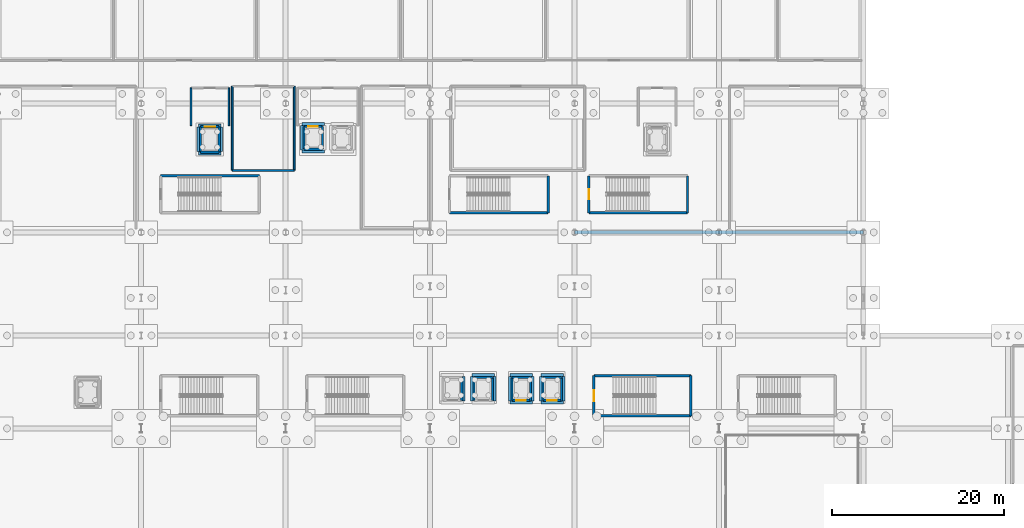
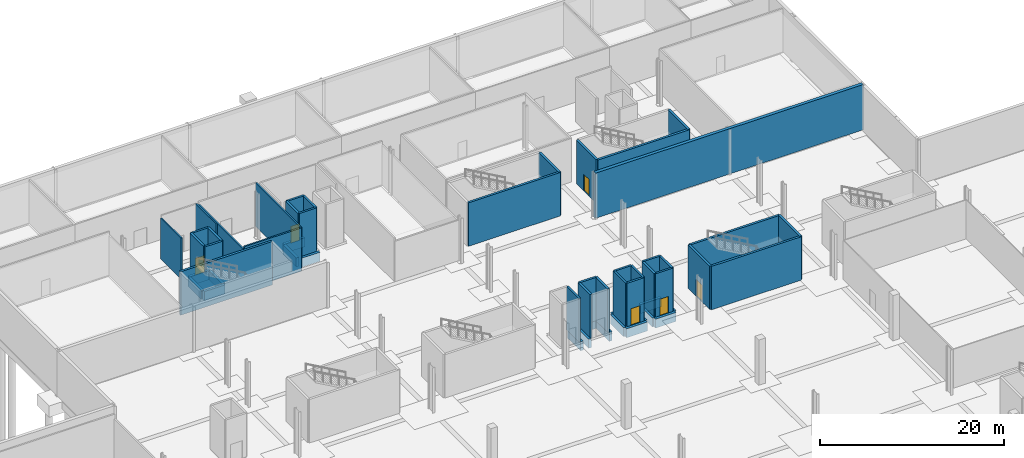
# One storey, part 28 of 46: 55 walls, 6 doors, 6 openings.
"""IFC4 building model written with IfcOpenShell, lengths in metres."""

from ifc_helpers import new_model, si_unit, direction, frame, frame_2d, origin, place, context, subcontext, project, spatial, rectangle, extrude, material, layer, layer_set, type_object, element, fill, save


model = new_model("IFC4")

# Units and contexts
model_context = context("Model", 3, precision=1e-05, world=origin(), true_north=direction((0.0, 1.0)))
body_context = subcontext(model_context, "Body", "Model", "MODEL_VIEW")
ifc_project = project(units=[si_unit("LENGTHUNIT", "METRE"), si_unit("AREAUNIT", "SQUARE_METRE"), si_unit("VOLUMEUNIT", "CUBIC_METRE"), si_unit("PLANEANGLEUNIT", "RADIAN"), si_unit("MASSUNIT", "GRAM", prefix="KILO")], contexts=[model_context])

# Site, building, storey
site_placement = place(None, origin())
site = spatial("IfcSite", under=ifc_project, at=site_placement, CompositionType="ELEMENT")
building_placement = place(site_placement, origin())
building = spatial("IfcBuilding", under=site, at=building_placement, Name="Kimbaza Rail Terminus", CompositionType="ELEMENT")
storey_placement = place(building_placement, frame((0.0, 0.0, -6.0)))
storey = spatial("IfcBuildingStorey", under=building, at=storey_placement, Name="B1", CompositionType="ELEMENT", Elevation=-6.0)

# Walls
ifc_material_1 = material(Name="Concrete blockwork C30/37", Category="masonry")
ifc_layer_1 = layer(ifc_material_1, 0.179931640625)
ifc_layer_set_1 = layer_set([ifc_layer_1], Name="Concrete blockwork C30/37")
wall_type_1 = type_object("IfcWallType", Name="ARC-WL-FIRE180", PredefinedType="PARTITIONING", material=ifc_layer_set_1)
wall_1_placement = place(storey_placement, frame((82.199951171875, 115.39990234375, 0.0), z_axis=(0.0, 0.0, 1.0), x_axis=(0.0, 1.0, 0.0)))
element("IfcWall", 1, at=wall_1_placement, inside=storey, type_object=wall_type_1, Name="Firefighting Lobby LF-01 Partition (east)", PredefinedType="PARTITIONING", context=body_context, shape_type="SweptSolid", body=[
    extrude(rectangle(XDim=4.400146484375, YDim=0.179931640625, at=frame_2d((2.2001953125, 0.0))), origin(), (0.0, 0.0, 1.0), 5.75),
])
wall_2_placement = place(storey_placement, frame((77.800048828125, 119.800048828125, 0.0), z_axis=(0.0, 0.0, 1.0), x_axis=(0.0, -1.0, 0.0)))
element("IfcWall", 2, at=wall_2_placement, inside=storey, type_object=wall_type_1, Name="Firefighting Lobby LF-01 Partition (west)", PredefinedType="PARTITIONING", context=body_context, shape_type="SweptSolid", body=[
    extrude(rectangle(XDim=4.400146484375, YDim=0.179931640625, at=frame_2d((2.2001953125, 0.0))), origin(), (0.0, 0.0, 1.0), 5.39501953125),
])
ifc_material_2 = material(Name="Concrete blockwork C30/37", Category="masonry")
ifc_layer_2 = layer(ifc_material_2, 0.199951171875)
ifc_layer_set_2 = layer_set([ifc_layer_2], Name="Concrete blockwork C30/37")
wall_type_2 = type_object("IfcWallType", Name="ARC-WL-FIRE200", PredefinedType="PARTITIONING", material=ifc_layer_set_2)
wall_3_placement = place(storey_placement, frame((82.60009765625, 110.199951171875, 0.0), z_axis=(0.0, 0.0, 1.0), x_axis=(1.0, 0.0, 0.0)))
element("IfcWall", 3, at=wall_3_placement, inside=storey, type_object=wall_type_2, Name="B1 Traction Metering Workshop Partition (south)", PredefinedType="PARTITIONING", context=body_context, shape_type="SweptSolid", body=[
    extrude(rectangle(XDim=7.199951171875, YDim=0.199951171875, at=frame_2d((3.60009765625, 0.0))), origin(), (0.0, 0.0, 1.0), 5.75),
])
wall_4_placement = place(storey_placement, frame((89.800048828125, 110.199951171875, 0.0), z_axis=(0.0, 0.0, 1.0), x_axis=(0.0, 1.0, 0.0)))
element("IfcWall", 4, at=wall_4_placement, inside=storey, type_object=wall_type_2, Name="B1 Traction Metering Workshop Partition (east)", PredefinedType="PARTITIONING", context=body_context, shape_type="SweptSolid", body=[
    extrude(rectangle(XDim=9.800048828125, YDim=0.199951171875, at=frame_2d((4.89990234375, 0.0))), origin(), (0.0, 0.0, 1.0), 5.75),
])
wall_5_placement = place(storey_placement, frame((82.60009765625, 120.0, 0.0), z_axis=(0.0, 0.0, 1.0), x_axis=(0.0, -1.0, 0.0)))
element("IfcWall", 5, at=wall_5_placement, inside=storey, type_object=wall_type_2, Name="B1 Traction Metering Workshop Partition (west)", PredefinedType="PARTITIONING", context=body_context, shape_type="SweptSolid", body=[
    extrude(rectangle(XDim=9.800048828125, YDim=0.199951171875, at=frame_2d((4.89990234375, 0.0))), origin(), (0.0, 0.0, 1.0), 5.39501953125),
])
ifc_material_3 = material(Name="Concrete C40/50", Category="concrete")
ifc_layer_3 = layer(ifc_material_3, 0.25)
ifc_layer_set_3 = layer_set([ifc_layer_3], Name="Concrete C40/50")
wall_type_3 = type_object("IfcWallType", Name="STR-WL-CORE250", PredefinedType="SHEAR", material=ifc_layer_set_3)
for number, where, z_axis, x_axis, name in (
    (6, (109.280029296875, 83.469970703125, 0.0), (0.0, 0.0, 1.0), (0.0, 1.0, 0.0), "Lift Shaft Wall LP-01 B1-2"),
    (7, (112.8798828125, 83.469970703125, 0.0), (0.0, 0.0, 1.0), (0.0, 1.0, 0.0), "Lift Shaft Wall LP-02 B1-2"),
):
    element("IfcWall", number, at=place(storey_placement, frame(where, z_axis=z_axis, x_axis=x_axis)), inside=storey, type_object=wall_type_3, Name=name, PredefinedType="SHEAR", context=body_context, shape_type="SweptSolid", body=[
        extrude(rectangle(XDim=2.659912109375, YDim=0.25, at=frame_2d((1.330078125, 0.0))), origin(), (0.0, 0.0, 1.0), 5.75),
    ])
wall_6_placement = place(storey_placement, frame((112.8798828125, 86.1298828125, 0.0), z_axis=(0.0, 0.0, 1.0), x_axis=(-1.0, 0.0, 0.0)))
element("IfcWall", 8, at=wall_6_placement, inside=storey, type_object=wall_type_3, Name="Lift Shaft Wall LP-02 B1-3", PredefinedType="SHEAR", context=body_context, shape_type="SweptSolid", body=[
    extrude(rectangle(XDim=2.159912109375, YDim=0.25, at=frame_2d((1.080078125, 0.0))), origin(), (0.0, 0.0, 1.0), 5.75),
])
wall_7_placement = place(storey_placement, frame((110.719970703125, 86.1298828125, 0.0), z_axis=(0.0, 0.0, 1.0), x_axis=(0.0, -1.0, 0.0)))
element("IfcWall", 9, at=wall_7_placement, inside=storey, type_object=wall_type_3, Name="Lift Shaft Wall LP-02 B1-4", PredefinedType="SHEAR", context=body_context, shape_type="SweptSolid", body=[
    extrude(rectangle(XDim=2.659912109375, YDim=0.25, at=frame_2d((1.330078125, 0.0))), origin(), (0.0, 0.0, 1.0), 5.75),
])

# Wall, opening, door
wall_8_placement = place(storey_placement, frame((115.1201171875, 83.469970703125, 0.0), z_axis=(0.0, 0.0, 1.0), x_axis=(1.0, 0.0, 0.0)))
wall_8 = element("IfcWall", 10, at=wall_8_placement, inside=storey, type_object=wall_type_3, Name="Lift Shaft Wall LP-03 B1-1", PredefinedType="SHEAR", context=body_context, shape_type="SweptSolid", body=[
    extrude(rectangle(XDim=2.159912109375, YDim=0.25, at=frame_2d((1.080078125, 0.0))), origin(), (0.0, 0.0, 1.0), 5.75),
])
opening_1_placement = place(wall_8_placement, frame((0.530029296875, 0.0, 0.0)))
opening_1 = element("IfcOpeningElement", 11, at=opening_1_placement, cuts=wall_8, Name="Opening LD-01", PredefinedType="OPENING", context=body_context, shape_type="SweptSolid", body=[
    extrude(rectangle(XDim=1.10009765625, YDim=2.199951171875, at=frame_2d((0.550048828125, 1.10009765625))), frame((0.0, 0.135009765625, 0.0), z_axis=(0.0, -1.0, 0.0), x_axis=(1.0, 0.0, 0.0)), (0.0, 0.0, 1.0), 0.27001953125),
])
ifc_material_4 = material(Name="Brushed stainless steel sliding landing door", Category="steel")
door_type_1 = type_object("IfcDoorType", Name="ARC-DR-LD110", OperationType="NOTDEFINED", PredefinedType="DOOR", material=ifc_material_4)
door_1_placement = place(opening_1_placement, origin())
door_1 = element("IfcDoor", 12, at=door_1_placement, inside=storey, type_object=door_type_1, Name="LDR-LP-03-B1", OperationType="SLIDING_TO_LEFT", OverallHeight=2.199951171875, OverallWidth=1.10009765625, PredefinedType="DOOR", context=body_context, shape_type="SweptSolid", body=[
    extrude(rectangle(XDim=1.10009765625, YDim=2.199951171875, at=frame_2d((0.550048828125, 1.10009765625))), frame((0.0, 0.02490234375, 0.0), z_axis=(0.0, -1.0, 0.0), x_axis=(1.0, 0.0, 0.0)), (0.0, 0.0, 1.0), 0.050048828125),
])
fill(opening_1, door_1)

# Walls
wall_9_placement = place(storey_placement, frame((117.280029296875, 83.469970703125, 0.0), z_axis=(0.0, 0.0, 1.0), x_axis=(0.0, 1.0, 0.0)))
element("IfcWall", 13, at=wall_9_placement, inside=storey, type_object=wall_type_3, Name="Lift Shaft Wall LP-03 B1-2", PredefinedType="SHEAR", context=body_context, shape_type="SweptSolid", body=[
    extrude(rectangle(XDim=2.659912109375, YDim=0.25, at=frame_2d((1.330078125, 0.0))), origin(), (0.0, 0.0, 1.0), 5.75),
])
wall_10_placement = place(storey_placement, frame((117.280029296875, 86.1298828125, 0.0), z_axis=(0.0, 0.0, 1.0), x_axis=(-1.0, 0.0, 0.0)))
element("IfcWall", 14, at=wall_10_placement, inside=storey, type_object=wall_type_3, Name="Lift Shaft Wall LP-03 B1-3", PredefinedType="SHEAR", context=body_context, shape_type="SweptSolid", body=[
    extrude(rectangle(XDim=2.159912109375, YDim=0.25, at=frame_2d((1.080078125, 0.0))), origin(), (0.0, 0.0, 1.0), 5.75),
])
wall_11_placement = place(storey_placement, frame((115.1201171875, 86.1298828125, 0.0), z_axis=(0.0, 0.0, 1.0), x_axis=(0.0, -1.0, 0.0)))
element("IfcWall", 15, at=wall_11_placement, inside=storey, type_object=wall_type_3, Name="Lift Shaft Wall LP-03 B1-4", PredefinedType="SHEAR", context=body_context, shape_type="SweptSolid", body=[
    extrude(rectangle(XDim=2.659912109375, YDim=0.25, at=frame_2d((1.330078125, 0.0))), origin(), (0.0, 0.0, 1.0), 5.75),
])

# Wall, opening, door
wall_12_placement = place(storey_placement, frame((118.719970703125, 83.469970703125, 0.0), z_axis=(0.0, 0.0, 1.0), x_axis=(1.0, 0.0, 0.0)))
wall_12 = element("IfcWall", 16, at=wall_12_placement, inside=storey, type_object=wall_type_3, Name="Lift Shaft Wall LP-04 B1-1", PredefinedType="SHEAR", context=body_context, shape_type="SweptSolid", body=[
    extrude(rectangle(XDim=2.159912109375, YDim=0.25, at=frame_2d((1.080078125, 0.0))), origin(), (0.0, 0.0, 1.0), 5.75),
])
opening_2_placement = place(wall_12_placement, frame((0.530029296875, 0.0, 0.0)))
opening_2 = element("IfcOpeningElement", 17, at=opening_2_placement, cuts=wall_12, Name="Opening LD-01", PredefinedType="OPENING", context=body_context, shape_type="SweptSolid", body=[
    extrude(rectangle(XDim=1.10009765625, YDim=2.199951171875, at=frame_2d((0.550048828125, 1.10009765625))), frame((0.0, 0.135009765625, 0.0), z_axis=(0.0, -1.0, 0.0), x_axis=(1.0, 0.0, 0.0)), (0.0, 0.0, 1.0), 0.27001953125),
])
door_2_placement = place(opening_2_placement, origin())
door_2 = element("IfcDoor", 18, at=door_2_placement, inside=storey, type_object=door_type_1, Name="LDR-LP-04-B1", OperationType="SLIDING_TO_LEFT", OverallHeight=2.199951171875, OverallWidth=1.10009765625, PredefinedType="DOOR", context=body_context, shape_type="SweptSolid", body=[
    extrude(rectangle(XDim=1.10009765625, YDim=2.199951171875, at=frame_2d((0.550048828125, 1.10009765625))), frame((0.0, 0.02490234375, 0.0), z_axis=(0.0, -1.0, 0.0), x_axis=(1.0, 0.0, 0.0)), (0.0, 0.0, 1.0), 0.050048828125),
])
fill(opening_2, door_2)

# Walls
wall_13_placement = place(storey_placement, frame((120.8798828125, 83.469970703125, 0.0), z_axis=(0.0, 0.0, 1.0), x_axis=(0.0, 1.0, 0.0)))
element("IfcWall", 19, at=wall_13_placement, inside=storey, type_object=wall_type_3, Name="Lift Shaft Wall LP-04 B1-2", PredefinedType="SHEAR", context=body_context, shape_type="SweptSolid", body=[
    extrude(rectangle(XDim=2.659912109375, YDim=0.25, at=frame_2d((1.330078125, 0.0))), origin(), (0.0, 0.0, 1.0), 5.75),
])
wall_14_placement = place(storey_placement, frame((120.8798828125, 86.1298828125, 0.0), z_axis=(0.0, 0.0, 1.0), x_axis=(-1.0, 0.0, 0.0)))
element("IfcWall", 20, at=wall_14_placement, inside=storey, type_object=wall_type_3, Name="Lift Shaft Wall LP-04 B1-3", PredefinedType="SHEAR", context=body_context, shape_type="SweptSolid", body=[
    extrude(rectangle(XDim=2.159912109375, YDim=0.25, at=frame_2d((1.080078125, 0.0))), origin(), (0.0, 0.0, 1.0), 5.75),
])
wall_15_placement = place(storey_placement, frame((118.719970703125, 86.1298828125, 0.0), z_axis=(0.0, 0.0, 1.0), x_axis=(0.0, -1.0, 0.0)))
element("IfcWall", 21, at=wall_15_placement, inside=storey, type_object=wall_type_3, Name="Lift Shaft Wall LP-04 B1-4", PredefinedType="SHEAR", context=body_context, shape_type="SweptSolid", body=[
    extrude(rectangle(XDim=2.659912109375, YDim=0.25, at=frame_2d((1.330078125, 0.0))), origin(), (0.0, 0.0, 1.0), 5.75),
])
wall_16_placement = place(storey_placement, frame((90.919921875, 112.669921875, 0.0), z_axis=(0.0, 0.0, 1.0), x_axis=(1.0, 0.0, 0.0)))
element("IfcWall", 22, at=wall_16_placement, inside=storey, type_object=wall_type_3, Name="Lift Shaft Wall LP-08 B1-1", PredefinedType="SHEAR", context=body_context, shape_type="SweptSolid", body=[
    extrude(rectangle(XDim=2.16015625, YDim=0.25, at=frame_2d((1.080078125, 0.0))), origin(), (0.0, 0.0, 1.0), 5.760009765625),
])
wall_17_placement = place(storey_placement, frame((93.080078125, 112.669921875, 0.0), z_axis=(0.0, 0.0, 1.0), x_axis=(0.0, 1.0, 0.0)))
element("IfcWall", 23, at=wall_17_placement, inside=storey, type_object=wall_type_3, Name="Lift Shaft Wall LP-08 B1-2", PredefinedType="SHEAR", context=body_context, shape_type="SweptSolid", body=[
    extrude(rectangle(XDim=2.66015625, YDim=0.25, at=frame_2d((1.330078125, 0.0))), origin(), (0.0, 0.0, 1.0), 5.760009765625),
])

# Wall, opening, door
wall_18_placement = place(storey_placement, frame((93.080078125, 115.330078125, 0.0), z_axis=(0.0, 0.0, 1.0), x_axis=(-1.0, 0.0, 0.0)))
wall_18 = element("IfcWall", 24, at=wall_18_placement, inside=storey, type_object=wall_type_3, Name="Lift Shaft Wall LP-08 B1-3", PredefinedType="SHEAR", context=body_context, shape_type="SweptSolid", body=[
    extrude(rectangle(XDim=2.16015625, YDim=0.25, at=frame_2d((1.080078125, 0.0))), origin(), (0.0, 0.0, 1.0), 5.760009765625),
])
opening_3_placement = place(wall_18_placement, frame((0.530029296875, 0.0, 0.0)))
opening_3 = element("IfcOpeningElement", 25, at=opening_3_placement, cuts=wall_18, Name="Opening LD-01", PredefinedType="OPENING", context=body_context, shape_type="SweptSolid", body=[
    extrude(rectangle(XDim=1.10009765625, YDim=2.199951171875, at=frame_2d((0.550048828125, 1.10009765625))), frame((0.0, 0.135009765625, 0.0), z_axis=(0.0, -1.0, 0.0), x_axis=(1.0, 0.0, 0.0)), (0.0, 0.0, 1.0), 0.27001953125),
])
door_3_placement = place(opening_3_placement, origin())
door_3 = element("IfcDoor", 26, at=door_3_placement, inside=storey, type_object=door_type_1, Name="LDR-LP-08-B1", OperationType="SLIDING_TO_LEFT", OverallHeight=2.199951171875, OverallWidth=1.10009765625, PredefinedType="DOOR", context=body_context, shape_type="SweptSolid", body=[
    extrude(rectangle(XDim=1.10009765625, YDim=2.199951171875, at=frame_2d((0.550048828125, 1.10009765625))), frame((0.0, 0.02490234375, 0.0), z_axis=(0.0, -1.0, 0.0), x_axis=(1.0, 0.0, 0.0)), (0.0, 0.0, 1.0), 0.050048828125),
])
fill(opening_3, door_3)

# Walls
wall_19_placement = place(storey_placement, frame((90.919921875, 115.330078125, 0.0), z_axis=(0.0, 0.0, 1.0), x_axis=(0.0, -1.0, 0.0)))
element("IfcWall", 27, at=wall_19_placement, inside=storey, type_object=wall_type_3, Name="Lift Shaft Wall LP-08 B1-4", PredefinedType="SHEAR", context=body_context, shape_type="SweptSolid", body=[
    extrude(rectangle(XDim=2.66015625, YDim=0.25, at=frame_2d((1.330078125, 0.0))), origin(), (0.0, 0.0, 1.0), 5.760009765625),
])
wall_20_placement = place(storey_placement, frame((78.919921875, 112.320068359375, 0.0), z_axis=(0.0, 0.0, 1.0), x_axis=(1.0, 0.0, 0.0)))
element("IfcWall", 28, at=wall_20_placement, inside=storey, type_object=wall_type_3, Name="Lift Shaft Wall LF-01 B1-1", PredefinedType="SHEAR", context=body_context, shape_type="SweptSolid", body=[
    extrude(rectangle(XDim=2.16015625, YDim=0.25, at=frame_2d((1.080078125, 0.0))), origin(), (0.0, 0.0, 1.0), 5.760009765625),
])
wall_21_placement = place(storey_placement, frame((81.080078125, 112.320068359375, 0.0), z_axis=(0.0, 0.0, 1.0), x_axis=(0.0, 1.0, 0.0)))
element("IfcWall", 29, at=wall_21_placement, inside=storey, type_object=wall_type_3, Name="Lift Shaft Wall LF-01 B1-2", PredefinedType="SHEAR", context=body_context, shape_type="SweptSolid", body=[
    extrude(rectangle(XDim=2.9599609375, YDim=0.25, at=frame_2d((1.47998046875, 0.0))), origin(), (0.0, 0.0, 1.0), 5.760009765625),
])

# Wall, opening, door
wall_22_placement = place(storey_placement, frame((81.080078125, 115.280029296875, 0.0), z_axis=(0.0, 0.0, 1.0), x_axis=(-1.0, 0.0, 0.0)))
wall_22 = element("IfcWall", 30, at=wall_22_placement, inside=storey, type_object=wall_type_3, Name="Lift Shaft Wall LF-01 B1-3", PredefinedType="SHEAR", context=body_context, shape_type="SweptSolid", body=[
    extrude(rectangle(XDim=2.16015625, YDim=0.25, at=frame_2d((1.080078125, 0.0))), origin(), (0.0, 0.0, 1.0), 5.760009765625),
])
opening_4_placement = place(wall_22_placement, frame((0.47998046875, 0.0, 0.0)))
opening_4 = element("IfcOpeningElement", 31, at=opening_4_placement, cuts=wall_22, Name="Opening LD-02", PredefinedType="OPENING", context=body_context, shape_type="SweptSolid", body=[
    extrude(rectangle(XDim=1.199951171875, YDim=2.199951171875, at=frame_2d((0.60009765625, 1.10009765625))), frame((0.0, 0.135009765625, 0.0), z_axis=(0.0, -1.0, 0.0), x_axis=(1.0, 0.0, 0.0)), (0.0, 0.0, 1.0), 0.27001953125),
])
ifc_material_5 = material(Name="Firefighting stainless steel landing door", Category="steel")
door_type_2 = type_object("IfcDoorType", Name="ARC-DR-LD120", OperationType="NOTDEFINED", PredefinedType="DOOR", material=ifc_material_5)
door_4_placement = place(opening_4_placement, origin())
door_4 = element("IfcDoor", 32, at=door_4_placement, inside=storey, type_object=door_type_2, Name="LDR-LF-01-B1", OperationType="SLIDING_TO_LEFT", OverallHeight=2.199951171875, OverallWidth=1.199951171875, PredefinedType="DOOR", context=body_context, shape_type="SweptSolid", body=[
    extrude(rectangle(XDim=1.199951171875, YDim=2.199951171875, at=frame_2d((0.60009765625, 1.10009765625))), frame((0.0, 0.02490234375, 0.0), z_axis=(0.0, -1.0, 0.0), x_axis=(1.0, 0.0, 0.0)), (0.0, 0.0, 1.0), 0.050048828125),
])
fill(opening_4, door_4)

# Walls
wall_23_placement = place(storey_placement, frame((78.919921875, 115.280029296875, 0.0), z_axis=(0.0, 0.0, 1.0), x_axis=(0.0, -1.0, 0.0)))
element("IfcWall", 33, at=wall_23_placement, inside=storey, type_object=wall_type_3, Name="Lift Shaft Wall LF-01 B1-4", PredefinedType="SHEAR", context=body_context, shape_type="SweptSolid", body=[
    extrude(rectangle(XDim=2.9599609375, YDim=0.25, at=frame_2d((1.47998046875, 0.0))), origin(), (0.0, 0.0, 1.0), 5.760009765625),
])
ifc_material_6 = material(Name="Concrete C40/50", Category="concrete")
ifc_layer_4 = layer(ifc_material_6, 0.280029296875)
ifc_layer_set_4 = layer_set([ifc_layer_4], Name="Concrete C40/50")
wall_type_4 = type_object("IfcWallType", Name="STR-WL-CORE280", PredefinedType="SHEAR", material=ifc_layer_set_4)
for number, where, z_axis, x_axis, name in (
    (34, (85.739990234375, 109.580078125, 0.0), (0.0, 0.0, 1.0), (-1.0, 0.0, 0.0), "Operations West Exit Stair Shaft Wall B1-3"),
    (35, (107.860107421875, 105.260009765625, 0.0), (0.0, 0.0, 1.0), (1.0, 0.0, 0.0), "Operations Central Exit Stair Shaft Wall B1-1"),
):
    element("IfcWall", number, at=place(storey_placement, frame(where, z_axis=z_axis, x_axis=x_axis)), inside=storey, type_object=wall_type_4, Name=name, PredefinedType="SHEAR", context=body_context, shape_type="SweptSolid", body=[
        extrude(rectangle(XDim=11.47998046875, YDim=0.280029296875, at=frame_2d((5.739990234375, 0.0))), origin(), (0.0, 0.0, 1.0), 5.760009765625),
    ])
wall_24_placement = place(storey_placement, frame((119.340087890625, 105.260009765625, 0.0), z_axis=(0.0, 0.0, 1.0), x_axis=(0.0, 1.0, 0.0)))
element("IfcWall", 36, at=wall_24_placement, inside=storey, type_object=wall_type_4, Name="Operations Central Exit Stair Shaft Wall B1-2", PredefinedType="SHEAR", context=body_context, shape_type="SweptSolid", body=[
    extrude(rectangle(XDim=4.320068359375, YDim=0.280029296875, at=frame_2d((2.16015625, 0.0))), origin(), (0.0, 0.0, 1.0), 5.760009765625),
])
wall_25_placement = place(storey_placement, frame((124.06005859375, 105.260009765625, 0.0), z_axis=(0.0, 0.0, 1.0), x_axis=(1.0, 0.0, 0.0)))
element("IfcWall", 37, at=wall_25_placement, inside=storey, type_object=wall_type_4, Name="Operations East Exit Stair Shaft Wall B1-1", PredefinedType="SHEAR", context=body_context, shape_type="SweptSolid", body=[
    extrude(rectangle(XDim=11.47998046875, YDim=0.280029296875, at=frame_2d((5.739990234375, 0.0))), origin(), (0.0, 0.0, 1.0), 5.760009765625),
])
wall_26_placement = place(storey_placement, frame((135.5400390625, 105.260009765625, 0.0), z_axis=(0.0, 0.0, 1.0), x_axis=(0.0, 1.0, 0.0)))
element("IfcWall", 38, at=wall_26_placement, inside=storey, type_object=wall_type_4, Name="Operations East Exit Stair Shaft Wall B1-2", PredefinedType="SHEAR", context=body_context, shape_type="SweptSolid", body=[
    extrude(rectangle(XDim=4.320068359375, YDim=0.280029296875, at=frame_2d((2.16015625, 0.0))), origin(), (0.0, 0.0, 1.0), 5.760009765625),
])

# Wall, opening, door
wall_27_placement = place(storey_placement, frame((124.06005859375, 109.580078125, 0.0), z_axis=(0.0, 0.0, 1.0), x_axis=(0.0, -1.0, 0.0)))
wall_27 = element("IfcWall", 39, at=wall_27_placement, inside=storey, type_object=wall_type_4, Name="Operations East Exit Stair Shaft Wall B1-4", PredefinedType="SHEAR", context=body_context, shape_type="SweptSolid", body=[
    extrude(rectangle(XDim=4.320068359375, YDim=0.280029296875, at=frame_2d((2.16015625, 0.0))), origin(), (0.0, 0.0, 1.0), 5.760009765625),
])
opening_5_placement = place(wall_27_placement, frame((1.5849609375, 0.0, 0.0)))
opening_5 = element("IfcOpeningElement", 40, at=opening_5_placement, cuts=wall_27, Name="Opening FD-03", PredefinedType="OPENING", context=body_context, shape_type="SweptSolid", body=[
    extrude(rectangle(XDim=1.14990234375, YDim=2.199951171875, at=frame_2d((0.574951171875, 1.10009765625))), frame((0.0, 0.14990234375, 0.0), z_axis=(0.0, -1.0, 0.0), x_axis=(1.0, 0.0, 0.0)), (0.0, 0.0, 1.0), 0.300048828125),
])
ifc_material_7 = material(Name="Firefighting lobby self-closing steel door", Category="steel")
door_type_3 = type_object("IfcDoorType", Name="ARC-DR-FD115", OperationType="NOTDEFINED", PredefinedType="DOOR", material=ifc_material_7)
door_5_placement = place(opening_5_placement, origin())
door_5 = element("IfcDoor", 41, at=door_5_placement, inside=storey, type_object=door_type_3, Name="SDR-ST-E1-B1", OperationType="SINGLE_SWING_LEFT", OverallHeight=2.199951171875, OverallWidth=1.14990234375, PredefinedType="DOOR", context=body_context, shape_type="SweptSolid", body=[
    extrude(rectangle(XDim=1.14990234375, YDim=2.199951171875, at=frame_2d((0.574951171875, 1.10009765625))), frame((0.0, 0.02490234375, 0.0), z_axis=(0.0, -1.0, 0.0), x_axis=(1.0, 0.0, 0.0)), (0.0, 0.0, 1.0), 0.050048828125),
])
fill(opening_5, door_5)

# Walls
wall_28_placement = place(storey_placement, frame((124.659912109375, 81.659912109375, 0.0), z_axis=(0.0, 0.0, 1.0), x_axis=(1.0, 0.0, 0.0)))
element("IfcWall", 42, at=wall_28_placement, inside=storey, type_object=wall_type_4, Name="Footbridge East Platform Stair Shaft Wall B1-1", PredefinedType="SHEAR", context=body_context, shape_type="SweptSolid", body=[
    extrude(rectangle(XDim=11.280029296875, YDim=0.280029296875, at=frame_2d((5.64013671875, 0.0))), origin(), (0.0, 0.0, 1.0), 5.75),
])
wall_29_placement = place(storey_placement, frame((135.93994140625, 81.659912109375, 0.0), z_axis=(0.0, 0.0, 1.0), x_axis=(0.0, 1.0, 0.0)))
element("IfcWall", 43, at=wall_29_placement, inside=storey, type_object=wall_type_4, Name="Footbridge East Platform Stair Shaft Wall B1-2", PredefinedType="SHEAR", context=body_context, shape_type="SweptSolid", body=[
    extrude(rectangle(XDim=4.68017578125, YDim=0.280029296875, at=frame_2d((2.340087890625, 0.0))), origin(), (0.0, 0.0, 1.0), 5.75),
])
wall_30_placement = place(storey_placement, frame((135.93994140625, 86.340087890625, 0.0), z_axis=(0.0, 0.0, 1.0), x_axis=(-1.0, 0.0, 0.0)))
element("IfcWall", 44, at=wall_30_placement, inside=storey, type_object=wall_type_4, Name="Footbridge East Platform Stair Shaft Wall B1-3", PredefinedType="SHEAR", context=body_context, shape_type="SweptSolid", body=[
    extrude(rectangle(XDim=11.280029296875, YDim=0.280029296875, at=frame_2d((5.64013671875, 0.0))), origin(), (0.0, 0.0, 1.0), 5.75),
])

# Wall, opening, door
wall_31_placement = place(storey_placement, frame((124.659912109375, 86.340087890625, 0.0), z_axis=(0.0, 0.0, 1.0), x_axis=(0.0, -1.0, 0.0)))
wall_31 = element("IfcWall", 45, at=wall_31_placement, inside=storey, type_object=wall_type_4, Name="Footbridge East Platform Stair Shaft Wall B1-4", PredefinedType="SHEAR", context=body_context, shape_type="SweptSolid", body=[
    extrude(rectangle(XDim=4.68017578125, YDim=0.280029296875, at=frame_2d((2.340087890625, 0.0))), origin(), (0.0, 0.0, 1.0), 5.75),
])
opening_6_placement = place(wall_31_placement, frame((1.715087890625, 0.0, 0.0)))
opening_6 = element("IfcOpeningElement", 46, at=opening_6_placement, cuts=wall_31, Name="Opening FD-02", PredefinedType="OPENING", context=body_context, shape_type="SweptSolid", body=[
    extrude(rectangle(XDim=1.25, YDim=2.199951171875, at=frame_2d((0.625, 1.10009765625))), frame((0.0, 0.14990234375, 0.0), z_axis=(0.0, -1.0, 0.0), x_axis=(1.0, 0.0, 0.0)), (0.0, 0.0, 1.0), 0.300048828125),
])
ifc_material_8 = material(Name="Galvanised painted steel fire stair door", Category="steel")
door_type_4 = type_object("IfcDoorType", Name="ARC-DR-FD125", OperationType="NOTDEFINED", PredefinedType="DOOR", material=ifc_material_8)
door_6_placement = place(opening_6_placement, origin())
door_6 = element("IfcDoor", 47, at=door_6_placement, inside=storey, type_object=door_type_4, Name="SDR-ST-C4-B1", OperationType="SINGLE_SWING_RIGHT", OverallHeight=2.199951171875, OverallWidth=1.25, PredefinedType="DOOR", context=body_context, shape_type="SweptSolid", body=[
    extrude(rectangle(XDim=1.25, YDim=2.199951171875, at=frame_2d((0.625, 1.10009765625))), frame((0.0, 0.02490234375, 0.0), z_axis=(0.0, -1.0, 0.0), x_axis=(1.0, 0.0, 0.0)), (0.0, 0.0, 1.0), 0.050048828125),
])
fill(opening_6, door_6)

# Walls
ifc_material_9 = material(Name="Concrete C40/50", Category="concrete")
ifc_layer_5 = layer(ifc_material_9, 0.35009765625)
ifc_layer_set_5 = layer_set([ifc_layer_5], Name="Concrete C40/50")
wall_type_5 = type_object("IfcWallType", Name="STR-WL-RET350", PredefinedType="SOLIDWALL", material=ifc_layer_set_5)
for number, where, z_axis, x_axis, name in (
    (48, (90.699951171875, 112.39990234375, -1.199951171875), (0.0, 0.0, 1.0), (1.0, 0.0, 0.0), "Lift Pit Wall LP-08-1"),
    (49, (93.300048828125, 115.60009765625, -1.199951171875), (0.0, 0.0, 1.0), (-1.0, 0.0, 0.0), "Lift Pit Wall LP-08-3"),
):
    element("IfcWall", number, at=place(storey_placement, frame(where, z_axis=z_axis, x_axis=x_axis)), inside=storey, type_object=wall_type_5, Name=name, PredefinedType="SOLIDWALL", context=body_context, shape_type="SweptSolid", body=[
        extrude(rectangle(XDim=2.60009765625, YDim=0.35009765625, at=frame_2d((1.300048828125, 0.0))), origin(), (0.0, 0.0, 1.0), 1.199951171875),
    ])
wall_32_placement = place(storey_placement, frame((90.699951171875, 115.425048828125, -1.199951171875), z_axis=(0.0, 0.0, 1.0), x_axis=(0.0, -1.0, 0.0)))
element("IfcWall", 50, at=wall_32_placement, inside=storey, type_object=wall_type_5, Name="Lift Pit Wall LP-08-4", PredefinedType="SOLIDWALL", context=body_context, shape_type="SweptSolid", body=[
    extrude(rectangle(XDim=2.85009765625, YDim=0.35009765625, at=frame_2d((1.425048828125, 0.0))), origin(), (0.0, 0.0, 1.0), 1.199951171875),
])
wall_33_placement = place(storey_placement, frame((78.699951171875, 112.199951171875, -1.199951171875), z_axis=(0.0, 0.0, 1.0), x_axis=(1.0, 0.0, 0.0)))
element("IfcWall", 51, at=wall_33_placement, inside=storey, type_object=wall_type_5, Name="Lift Pit Wall LF-01-1", PredefinedType="SOLIDWALL", context=body_context, shape_type="SweptSolid", body=[
    extrude(rectangle(XDim=2.60009765625, YDim=0.35009765625, at=frame_2d((1.300048828125, 0.0))), origin(), (0.0, 0.0, 1.0), 1.199951171875),
])
wall_34_placement = place(storey_placement, frame((81.300048828125, 112.375, -1.199951171875), z_axis=(0.0, 0.0, 1.0), x_axis=(0.0, 1.0, 0.0)))
element("IfcWall", 52, at=wall_34_placement, inside=storey, type_object=wall_type_5, Name="Lift Pit Wall LF-01-2", PredefinedType="SOLIDWALL", context=body_context, shape_type="SweptSolid", body=[
    extrude(rectangle(XDim=2.85009765625, YDim=0.35009765625, at=frame_2d((1.425048828125, 0.0))), origin(), (0.0, 0.0, 1.0), 1.199951171875),
])
wall_35_placement = place(storey_placement, frame((81.300048828125, 115.39990234375, -1.199951171875), z_axis=(0.0, 0.0, 1.0), x_axis=(-1.0, 0.0, 0.0)))
element("IfcWall", 53, at=wall_35_placement, inside=storey, type_object=wall_type_5, Name="Lift Pit Wall LF-01-3", PredefinedType="SOLIDWALL", context=body_context, shape_type="SweptSolid", body=[
    extrude(rectangle(XDim=2.60009765625, YDim=0.35009765625, at=frame_2d((1.300048828125, 0.0))), origin(), (0.0, 0.0, 1.0), 1.199951171875),
])
for number, where, z_axis, x_axis, name in (
    (54, (78.699951171875, 115.22509765625, -1.199951171875), (0.0, 0.0, 1.0), (0.0, -1.0, 0.0), "Lift Pit Wall LF-01-4"),
    (55, (109.5, 83.375, -1.199951171875), (0.0, 0.0, 1.0), (0.0, 1.0, 0.0), "Lift Pit Wall LP-01-2"),
    (56, (113.10009765625, 83.375, -1.199951171875), (0.0, 0.0, 1.0), (0.0, 1.0, 0.0), "Lift Pit Wall LP-02-2"),
):
    element("IfcWall", number, at=place(storey_placement, frame(where, z_axis=z_axis, x_axis=x_axis)), inside=storey, type_object=wall_type_5, Name=name, PredefinedType="SOLIDWALL", context=body_context, shape_type="SweptSolid", body=[
        extrude(rectangle(XDim=2.85009765625, YDim=0.35009765625, at=frame_2d((1.425048828125, 0.0))), origin(), (0.0, 0.0, 1.0), 1.199951171875),
    ])
wall_36_placement = place(storey_placement, frame((113.10009765625, 86.39990234375, -1.199951171875), z_axis=(0.0, 0.0, 1.0), x_axis=(-1.0, 0.0, 0.0)))
element("IfcWall", 57, at=wall_36_placement, inside=storey, type_object=wall_type_5, Name="Lift Pit Wall LP-02-3", PredefinedType="SOLIDWALL", context=body_context, shape_type="SweptSolid", body=[
    extrude(rectangle(XDim=2.60009765625, YDim=0.35009765625, at=frame_2d((1.300048828125, 0.0))), origin(), (0.0, 0.0, 1.0), 1.199951171875),
])
wall_37_placement = place(storey_placement, frame((110.5, 86.22509765625, -1.199951171875), z_axis=(0.0, 0.0, 1.0), x_axis=(0.0, -1.0, 0.0)))
element("IfcWall", 58, at=wall_37_placement, inside=storey, type_object=wall_type_5, Name="Lift Pit Wall LP-02-4", PredefinedType="SOLIDWALL", context=body_context, shape_type="SweptSolid", body=[
    extrude(rectangle(XDim=2.85009765625, YDim=0.35009765625, at=frame_2d((1.425048828125, 0.0))), origin(), (0.0, 0.0, 1.0), 1.199951171875),
])
wall_38_placement = place(storey_placement, frame((114.89990234375, 83.199951171875, -1.199951171875), z_axis=(0.0, 0.0, 1.0), x_axis=(1.0, 0.0, 0.0)))
element("IfcWall", 59, at=wall_38_placement, inside=storey, type_object=wall_type_5, Name="Lift Pit Wall LP-03-1", PredefinedType="SOLIDWALL", context=body_context, shape_type="SweptSolid", body=[
    extrude(rectangle(XDim=2.60009765625, YDim=0.35009765625, at=frame_2d((1.300048828125, 0.0))), origin(), (0.0, 0.0, 1.0), 1.199951171875),
])
wall_39_placement = place(storey_placement, frame((117.5, 83.375, -1.199951171875), z_axis=(0.0, 0.0, 1.0), x_axis=(0.0, 1.0, 0.0)))
element("IfcWall", 60, at=wall_39_placement, inside=storey, type_object=wall_type_5, Name="Lift Pit Wall LP-03-2", PredefinedType="SOLIDWALL", context=body_context, shape_type="SweptSolid", body=[
    extrude(rectangle(XDim=2.85009765625, YDim=0.35009765625, at=frame_2d((1.425048828125, 0.0))), origin(), (0.0, 0.0, 1.0), 1.199951171875),
])
wall_40_placement = place(storey_placement, frame((117.5, 86.39990234375, -1.199951171875), z_axis=(0.0, 0.0, 1.0), x_axis=(-1.0, 0.0, 0.0)))
element("IfcWall", 61, at=wall_40_placement, inside=storey, type_object=wall_type_5, Name="Lift Pit Wall LP-03-3", PredefinedType="SOLIDWALL", context=body_context, shape_type="SweptSolid", body=[
    extrude(rectangle(XDim=2.60009765625, YDim=0.35009765625, at=frame_2d((1.300048828125, 0.0))), origin(), (0.0, 0.0, 1.0), 1.199951171875),
])
wall_41_placement = place(storey_placement, frame((114.89990234375, 86.22509765625, -1.199951171875), z_axis=(0.0, 0.0, 1.0), x_axis=(0.0, -1.0, 0.0)))
element("IfcWall", 62, at=wall_41_placement, inside=storey, type_object=wall_type_5, Name="Lift Pit Wall LP-03-4", PredefinedType="SOLIDWALL", context=body_context, shape_type="SweptSolid", body=[
    extrude(rectangle(XDim=2.85009765625, YDim=0.35009765625, at=frame_2d((1.425048828125, 0.0))), origin(), (0.0, 0.0, 1.0), 1.199951171875),
])
wall_42_placement = place(storey_placement, frame((118.5, 83.199951171875, -1.199951171875), z_axis=(0.0, 0.0, 1.0), x_axis=(1.0, 0.0, 0.0)))
element("IfcWall", 63, at=wall_42_placement, inside=storey, type_object=wall_type_5, Name="Lift Pit Wall LP-04-1", PredefinedType="SOLIDWALL", context=body_context, shape_type="SweptSolid", body=[
    extrude(rectangle(XDim=2.60009765625, YDim=0.35009765625, at=frame_2d((1.300048828125, 0.0))), origin(), (0.0, 0.0, 1.0), 1.199951171875),
])
wall_43_placement = place(storey_placement, frame((121.10009765625, 83.375, -1.199951171875), z_axis=(0.0, 0.0, 1.0), x_axis=(0.0, 1.0, 0.0)))
element("IfcWall", 64, at=wall_43_placement, inside=storey, type_object=wall_type_5, Name="Lift Pit Wall LP-04-2", PredefinedType="SOLIDWALL", context=body_context, shape_type="SweptSolid", body=[
    extrude(rectangle(XDim=2.85009765625, YDim=0.35009765625, at=frame_2d((1.425048828125, 0.0))), origin(), (0.0, 0.0, 1.0), 1.199951171875),
])
wall_44_placement = place(storey_placement, frame((121.10009765625, 86.39990234375, -1.199951171875), z_axis=(0.0, 0.0, 1.0), x_axis=(-1.0, 0.0, 0.0)))
element("IfcWall", 65, at=wall_44_placement, inside=storey, type_object=wall_type_5, Name="Lift Pit Wall LP-04-3", PredefinedType="SOLIDWALL", context=body_context, shape_type="SweptSolid", body=[
    extrude(rectangle(XDim=2.60009765625, YDim=0.35009765625, at=frame_2d((1.300048828125, 0.0))), origin(), (0.0, 0.0, 1.0), 1.199951171875),
])
wall_45_placement = place(storey_placement, frame((118.5, 86.22509765625, -1.199951171875), z_axis=(0.0, 0.0, 1.0), x_axis=(0.0, -1.0, 0.0)))
element("IfcWall", 66, at=wall_45_placement, inside=storey, type_object=wall_type_5, Name="Lift Pit Wall LP-04-4", PredefinedType="SOLIDWALL", context=body_context, shape_type="SweptSolid", body=[
    extrude(rectangle(XDim=2.85009765625, YDim=0.35009765625, at=frame_2d((1.425048828125, 0.0))), origin(), (0.0, 0.0, 1.0), 1.199951171875),
])
ifc_material_10 = material(Name="Concrete C40/50", Category="concrete")
ifc_layer_6 = layer(ifc_material_10, 0.39990234375)
ifc_layer_set_6 = layer_set([ifc_layer_6], Name="Concrete C40/50")
wall_type_6 = type_object("IfcWallType", Name="STR-WL-RET400", PredefinedType="SOLIDWALL", material=ifc_layer_set_6)
wall_46_placement = place(storey_placement, frame((122.39990234375, 103.0, 0.0), z_axis=(0.0, 0.0, 1.0), x_axis=(1.0, 0.0, 0.0)))
element("IfcWall", 67, at=wall_46_placement, inside=storey, type_object=wall_type_6, Name="Operations B1 Retaining Wall 2", PredefinedType="SOLIDWALL", context=body_context, shape_type="SweptSolid", body=[
    extrude(rectangle(XDim=33.60009765625, YDim=0.39990234375, at=frame_2d((16.800048828125, 0.0))), origin(), (0.0, 0.0, 1.0), 6.0),
])

save(model, "model.ifc")
